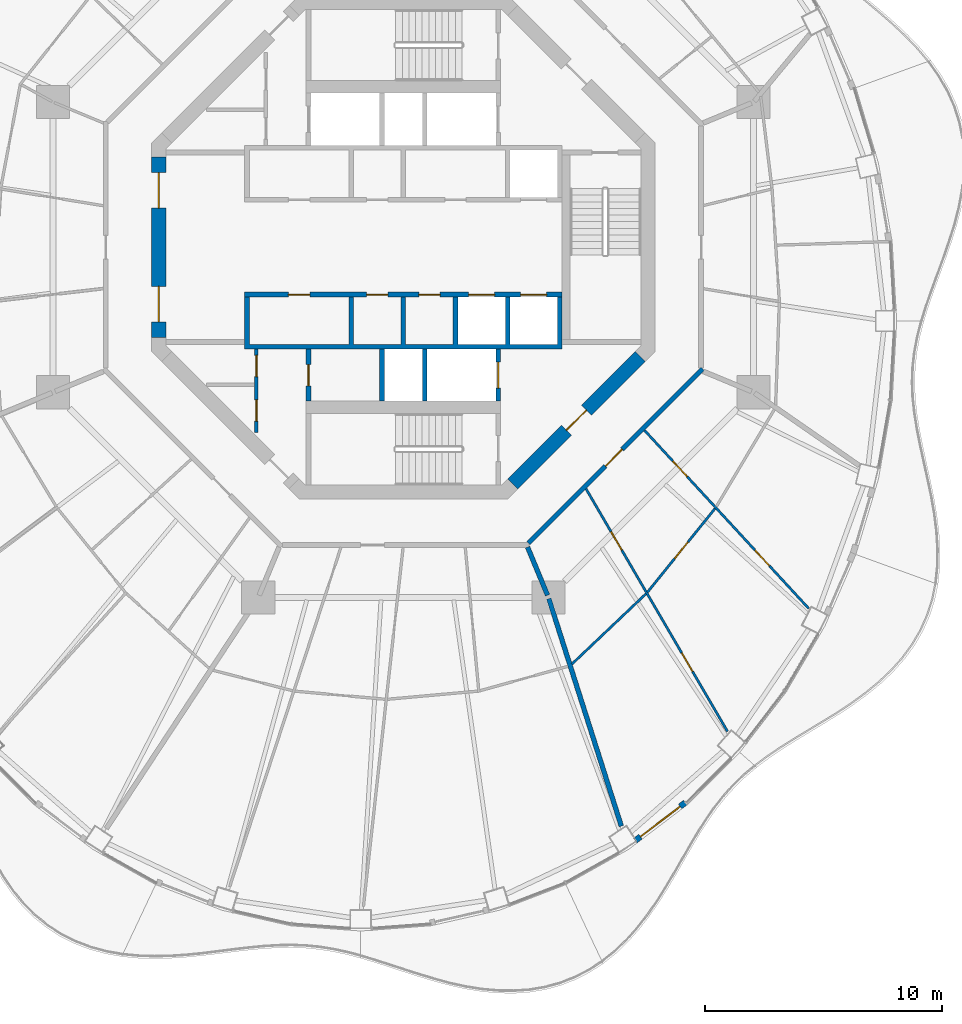
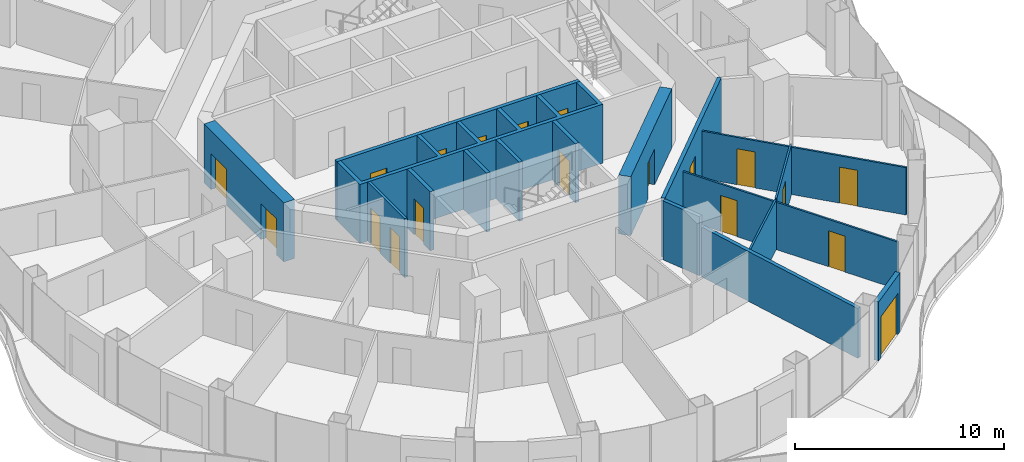
# One storey, part 11 of 18: 19 doors, 17 walls, 19 openings.
"""IFC4 building model written with IfcOpenShell, lengths in metres."""

from ifc_helpers import new_model, si_unit, direction, frame, frame_2d, origin, place, context, subcontext, project, spatial, polyline, rectangle, outline, extrude, material, layer, layer_set, type_object, element, fill, save


model = new_model("IFC4")

# Units and contexts
model_context = context("Model", 3, precision=1e-05, world=origin(), true_north=direction((0.0, 1.0)))
body_context = subcontext(model_context, "Body", "Model", "MODEL_VIEW")
ifc_project = project(units=[si_unit("LENGTHUNIT", "METRE"), si_unit("AREAUNIT", "SQUARE_METRE"), si_unit("VOLUMEUNIT", "CUBIC_METRE"), si_unit("PLANEANGLEUNIT", "RADIAN"), si_unit("MASSUNIT", "GRAM", prefix="KILO")], contexts=[model_context])

# Site, building, storey
site_placement = place(None, origin())
site = spatial("IfcSite", under=ifc_project, at=site_placement, CompositionType="ELEMENT")
building_placement = place(site_placement, origin())
building = spatial("IfcBuilding", under=site, at=building_placement, Name="Nagisa Residences", CompositionType="ELEMENT")
storey_placement = place(building_placement, frame((0.0, 0.0, 284.39990234375)))
storey = spatial("IfcBuildingStorey", under=building, at=storey_placement, Name="L72", CompositionType="ELEMENT", Elevation=284.39990234375)

# Walls
ifc_material_1 = material(Name="Gypsum board on steel studs", Category="steel")
ifc_layer_1 = layer(ifc_material_1, 0.199951171875)
ifc_layer_set_1 = layer_set([ifc_layer_1], Name="Apartment compartment wall EI60 200")
wall_type_1 = type_object("IfcWallType", Name="Apartment compartment wall EI60 200", PredefinedType="PARTITIONING", material=ifc_layer_set_1)
wall_1_placement = place(storey_placement, frame((5.24267578125, -12.6572265625, 0.0), z_axis=(0.0, 0.0, 1.0), x_axis=(0.382707856524, -0.923869415315, 0.0)))
element("IfcWall", 1, at=wall_1_placement, inside=storey, type_object=wall_type_1, Name="wall:L72:u10", PredefinedType="PARTITIONING", context=body_context, shape_type="SweptSolid", body=[
    extrude(rectangle(XDim=2.2001953125, YDim=0.199951171875, at=frame_2d((1.10009765625, 0.0))), origin(), (0.0, 0.0, 1.0), 3.440185546875),
])
wall_2_placement = place(storey_placement, frame((6.13818359375, -14.82958984375, 0.0), z_axis=(0.0, 0.0, 1.0), x_axis=(0.303653679037, -0.952782474234, 0.0)))
element("IfcWall", 2, at=wall_2_placement, inside=storey, type_object=wall_type_1, Name="wall:L72:u11", PredefinedType="PARTITIONING", context=body_context, shape_type="SweptSolid", body=[
    extrude(rectangle(XDim=10.075927734375, YDim=0.199951171875, at=frame_2d((5.0380859375, 0.0))), origin(), (0.0, 0.0, 1.0), 2.905029296875),
])

# Wall, opening, door
ifc_material_2 = material(Name="Gypsum board on steel studs", Category="steel")
ifc_layer_2 = layer(ifc_material_2, 0.199951171875)
ifc_layer_set_2 = layer_set([ifc_layer_2], Name="Apartment entry wall EI60 200")
wall_type_2 = type_object("IfcWallType", Name="Apartment entry wall EI60 200", PredefinedType="PARTITIONING", material=ifc_layer_set_2)
wall_3_placement = place(storey_placement, frame((5.275146484375, -12.494140625, 0.0), z_axis=(0.0, 0.0, 1.0), x_axis=(0.707106781187, 0.707106781187, 0.0)))
wall_3 = element("IfcWall", 3, at=wall_3_placement, inside=storey, type_object=wall_type_2, Name="wall:L72:u21", PredefinedType="PARTITIONING", context=body_context, shape_type="SweptSolid", body=[
    extrude(rectangle(XDim=10.4091796875, YDim=0.199951171875, at=frame_2d((5.20458984375, 0.0))), origin(), (0.0, 0.0, 1.0), 3.440185546875),
])
opening_1_placement = place(wall_3_placement, frame((4.6044921875, 0.0, 0.0)))
opening_1 = element("IfcOpeningElement", 4, at=opening_1_placement, cuts=wall_3, Name="Opening L72-U14", PredefinedType="OPENING", context=body_context, shape_type="SweptSolid", body=[
    extrude(rectangle(XDim=1.0, YDim=2.10009765625, at=frame_2d((0.5, 1.050048828125))), frame((0.0, 0.10986328125, 0.0), z_axis=(0.0, -1.0, 0.0), x_axis=(1.0, 0.0, 0.0)), (0.0, 0.0, 1.0), 0.219970703125),
])
ifc_material_3 = material(Name="Timber fire door set", Category="wood")
door_type_1 = type_object("IfcDoorType", Name="Apartment entry door FD30S 1000x2100", OperationType="NOTDEFINED", PredefinedType="DOOR", material=ifc_material_3)
door_1_placement = place(opening_1_placement, frame((1.0, 0.0, 0.0), x_axis=(-1.0, 0.0, 0.0)))
door_1 = element("IfcDoor", 5, at=door_1_placement, inside=storey, type_object=door_type_1, Name="Entry door, Apartment 72C", OperationType="SINGLE_SWING_LEFT", OverallHeight=2.10009765625, OverallWidth=1.0, PredefinedType="DOOR", context=body_context, shape_type="SweptSolid", body=[
    extrude(rectangle(XDim=1.0, YDim=2.10009765625, at=frame_2d((0.5, 1.050048828125))), frame((0.0, 0.02490234375, 0.0), z_axis=(0.0, -1.0, 0.0), x_axis=(1.0, 0.0, 0.0)), (0.0, 0.0, 1.0), 0.050048828125),
])
fill(opening_1, door_1)

# Wall
ifc_material_4 = material(Name="Gypsum board on steel studs", Category="steel")
ifc_layer_3 = layer(ifc_material_4, 0.10009765625)
ifc_layer_set_3 = layer_set([ifc_layer_3], Name="Apartment partition 100")
wall_type_3 = type_object("IfcWallType", Name="Apartment partition 100", PredefinedType="PARTITIONING", material=ifc_layer_set_3)
wall_4_placement = place(storey_placement, frame((7.113037109375, -17.592041015625, 0.0), z_axis=(0.0, 0.0, 1.0), x_axis=(0.725433932329, 0.688291805723, 0.0)))
element("IfcWall", 6, at=wall_4_placement, inside=storey, type_object=wall_type_3, Name="wall:L72:u64", PredefinedType="PARTITIONING", context=body_context, shape_type="SweptSolid", body=[
    extrude(rectangle(XDim=4.305419921875, YDim=0.10009765625, at=frame_2d((2.15283203125, 0.0))), origin(), (0.0, 0.0, 1.0), 2.905029296875),
])

# Wall, openings, doors
wall_5_placement = place(storey_placement, frame((7.708251953125, -10.19775390625, 0.0), z_axis=(0.0, 0.0, 1.0), x_axis=(0.503839015963, -0.863797572347, 0.0)))
wall_5 = element("IfcWall", 7, at=wall_5_placement, inside=storey, type_object=wall_type_3, Name="wall:L72:u65", PredefinedType="PARTITIONING", context=body_context, shape_type="SweptSolid", body=[
    extrude(rectangle(XDim=11.855712890625, YDim=0.10009765625, at=frame_2d((5.927734375, 0.0))), origin(), (0.0, 0.0, 1.0), 2.76220703125),
])
opening_2_placement = place(wall_5_placement, frame((2.094970703125, 0.0, 0.0)))
opening_2 = element("IfcOpeningElement", 8, at=opening_2_placement, cuts=wall_5, Name="Opening L72-U15", PredefinedType="OPENING", context=body_context, shape_type="SweptSolid", body=[
    extrude(rectangle(XDim=0.89990234375, YDim=2.10009765625, at=frame_2d((0.449951171875, 1.050048828125))), frame((0.0, 0.06005859375, 0.0), z_axis=(0.0, -1.0, 0.0), x_axis=(1.0, 0.0, 0.0)), (0.0, 0.0, 1.0), 0.1201171875),
])
opening_3_placement = place(wall_5_placement, frame((8.022705078125, 0.0, 0.0)))
opening_3 = element("IfcOpeningElement", 9, at=opening_3_placement, cuts=wall_5, Name="Opening L72-U19", PredefinedType="OPENING", context=body_context, shape_type="SweptSolid", body=[
    extrude(rectangle(XDim=0.89990234375, YDim=2.10009765625, at=frame_2d((0.449951171875, 1.050048828125))), frame((0.0, 0.06005859375, 0.0), z_axis=(0.0, -1.0, 0.0), x_axis=(1.0, 0.0, 0.0)), (0.0, 0.0, 1.0), 0.1201171875),
])
ifc_material_5 = material(Name="Timber door set", Category="wood")
door_type_2 = type_object("IfcDoorType", Name="Apartment door 900x2100", OperationType="NOTDEFINED", PredefinedType="DOOR", material=ifc_material_5)
door_2_placement = place(opening_2_placement, frame((0.89990234375, 0.0, 0.0), x_axis=(-1.0, 0.0, 0.0)))
door_2 = element("IfcDoor", 10, at=door_2_placement, inside=storey, type_object=door_type_2, Name="Door to family bathroom, Apartment 72C", OperationType="SINGLE_SWING_RIGHT", OverallHeight=2.10009765625, OverallWidth=0.89990234375, PredefinedType="DOOR", context=body_context, shape_type="SweptSolid", body=[
    extrude(rectangle(XDim=0.89990234375, YDim=2.10009765625, at=frame_2d((0.449951171875, 1.050048828125))), frame((0.0, 0.02490234375, 0.0), z_axis=(0.0, -1.0, 0.0), x_axis=(1.0, 0.0, 0.0)), (0.0, 0.0, 1.0), 0.050048828125),
])
fill(opening_2, door_2)
door_3_placement = place(opening_3_placement, frame((0.89990234375, 0.0, 0.0), x_axis=(-1.0, 0.0, 0.0)))
door_3 = element("IfcDoor", 11, at=door_3_placement, inside=storey, type_object=door_type_2, Name="Door to living room, Apartment 72C", OperationType="SINGLE_SWING_RIGHT", OverallHeight=2.10009765625, OverallWidth=0.89990234375, PredefinedType="DOOR", context=body_context, shape_type="SweptSolid", body=[
    extrude(rectangle(XDim=0.89990234375, YDim=2.10009765625, at=frame_2d((0.449951171875, 1.050048828125))), frame((0.0, 0.02490234375, 0.0), z_axis=(0.0, -1.0, 0.0), x_axis=(1.0, 0.0, 0.0)), (0.0, 0.0, 1.0), 0.050048828125),
])
fill(opening_3, door_3)

# Wall, opening, door
wall_6_placement = place(storey_placement, frame((10.303955078125, -14.555419921875, 0.0), z_axis=(0.0, 0.0, 1.0), x_axis=(0.628170338674, 0.778075848237, 0.0)))
wall_6 = element("IfcWall", 12, at=wall_6_placement, inside=storey, type_object=wall_type_3, Name="wall:L72:u66", PredefinedType="PARTITIONING", context=body_context, shape_type="SweptSolid", body=[
    extrude(rectangle(XDim=4.532470703125, YDim=0.10009765625, at=frame_2d((2.26611328125, 0.0))), origin(), (0.0, 0.0, 1.0), 2.905029296875),
])
opening_4_placement = place(wall_6_placement, frame((1.816162109375, 0.0, 0.0)))
opening_4 = element("IfcOpeningElement", 13, at=opening_4_placement, cuts=wall_6, Name="Opening L72-U17", PredefinedType="OPENING", context=body_context, shape_type="SweptSolid", body=[
    extrude(rectangle(XDim=0.89990234375, YDim=2.10009765625, at=frame_2d((0.449951171875, 1.050048828125))), frame((0.0, 0.06005859375, 0.0), z_axis=(0.0, -1.0, 0.0), x_axis=(1.0, 0.0, 0.0)), (0.0, 0.0, 1.0), 0.1201171875),
])
door_4_placement = place(opening_4_placement, frame((0.89990234375, 0.0, 0.0), x_axis=(-1.0, 0.0, 0.0)))
door_4 = element("IfcDoor", 14, at=door_4_placement, inside=storey, type_object=door_type_2, Name="Door to kitchen, Apartment 72C", OperationType="SINGLE_SWING_RIGHT", OverallHeight=2.10009765625, OverallWidth=0.89990234375, PredefinedType="DOOR", context=body_context, shape_type="SweptSolid", body=[
    extrude(rectangle(XDim=0.89990234375, YDim=2.10009765625, at=frame_2d((0.449951171875, 1.050048828125))), frame((0.0, 0.02490234375, 0.0), z_axis=(0.0, -1.0, 0.0), x_axis=(1.0, 0.0, 0.0)), (0.0, 0.0, 1.0), 0.050048828125),
])
fill(opening_4, door_4)

# Wall, openings, doors
wall_7_placement = place(storey_placement, frame((10.17919921875, -7.7314453125, 0.0), z_axis=(0.0, 0.0, 1.0), x_axis=(0.67775318564, -0.73528947997, 0.0)))
wall_7 = element("IfcWall", 15, at=wall_7_placement, inside=storey, type_object=wall_type_3, Name="wall:L72:u67", PredefinedType="PARTITIONING", context=body_context, shape_type="SweptSolid", body=[
    extrude(rectangle(XDim=10.221923828125, YDim=0.10009765625, at=frame_2d((5.11083984375, 0.0))), origin(), (0.0, 0.0, 1.0), 2.76220703125),
])
opening_5_placement = place(wall_7_placement, frame((1.765625, 0.0, 0.0)))
opening_5 = element("IfcOpeningElement", 16, at=opening_5_placement, cuts=wall_7, Name="Opening L72-U16", PredefinedType="OPENING", context=body_context, shape_type="SweptSolid", body=[
    extrude(rectangle(XDim=0.89990234375, YDim=2.10009765625, at=frame_2d((0.449951171875, 1.050048828125))), frame((0.0, 0.06005859375, 0.0), z_axis=(0.0, -1.0, 0.0), x_axis=(1.0, 0.0, 0.0)), (0.0, 0.0, 1.0), 0.1201171875),
])
opening_6_placement = place(wall_7_placement, frame((6.876708984375, 0.0, 0.0)))
opening_6 = element("IfcOpeningElement", 17, at=opening_6_placement, cuts=wall_7, Name="Opening L72-U18", PredefinedType="OPENING", context=body_context, shape_type="SweptSolid", body=[
    extrude(rectangle(XDim=0.89990234375, YDim=2.10009765625, at=frame_2d((0.449951171875, 1.050048828125))), frame((0.0, 0.06005859375, 0.0), z_axis=(0.0, -1.0, 0.0), x_axis=(1.0, 0.0, 0.0)), (0.0, 0.0, 1.0), 0.1201171875),
])
door_5_placement = place(opening_5_placement, origin())
door_5 = element("IfcDoor", 18, at=door_5_placement, inside=storey, type_object=door_type_2, Name="Door to laundry, Apartment 72C", OperationType="SINGLE_SWING_RIGHT", OverallHeight=2.10009765625, OverallWidth=0.89990234375, PredefinedType="DOOR", context=body_context, shape_type="SweptSolid", body=[
    extrude(rectangle(XDim=0.89990234375, YDim=2.10009765625, at=frame_2d((0.449951171875, 1.050048828125))), frame((0.0, 0.02490234375, 0.0), z_axis=(0.0, -1.0, 0.0), x_axis=(1.0, 0.0, 0.0)), (0.0, 0.0, 1.0), 0.050048828125),
])
fill(opening_5, door_5)
door_6_placement = place(opening_6_placement, origin())
door_6 = element("IfcDoor", 19, at=door_6_placement, inside=storey, type_object=door_type_2, Name="Door to master bedroom, Apartment 72C", OperationType="SINGLE_SWING_RIGHT", OverallHeight=2.10009765625, OverallWidth=0.89990234375, PredefinedType="DOOR", context=body_context, shape_type="SweptSolid", body=[
    extrude(rectangle(XDim=0.89990234375, YDim=2.10009765625, at=frame_2d((0.449951171875, 1.050048828125))), frame((0.0, 0.02490234375, 0.0), z_axis=(0.0, -1.0, 0.0), x_axis=(1.0, 0.0, 0.0)), (0.0, 0.0, 1.0), 0.050048828125),
])
fill(opening_6, door_6)

# Wall, opening, door
ifc_material_6 = material(Name="Precast concrete C40/50", Category="concrete")
ifc_layer_4 = layer(ifc_material_6, 0.25)
ifc_layer_set_4 = layer_set([ifc_layer_4], Name="BALCONY DOOR WALL 250")
wall_type_4 = type_object("IfcWallType", Name="BALCONY DOOR WALL 250", PredefinedType="SOLIDWALL", material=ifc_layer_set_4)
wall_8_placement = place(storey_placement, frame((11.89453125, -23.439208984375, 0.0), z_axis=(0.0, 0.0, 1.0), x_axis=(-0.796055284084, -0.605223912847, 0.0)))
wall_8 = element("IfcWall", 20, at=wall_8_placement, inside=storey, type_object=wall_type_4, Name="wall:L72:bay40", PredefinedType="SOLIDWALL", context=body_context, shape_type="SweptSolid", body=[
    extrude(rectangle(XDim=2.640625, YDim=0.25, at=frame_2d((1.3203125, 0.0))), origin(), (0.0, 0.0, 1.0), 3.440185546875),
])
opening_7_placement = place(wall_8_placement, frame((0.270263671875, 0.0, 0.0)))
opening_7 = element("IfcOpeningElement", 21, at=opening_7_placement, cuts=wall_8, Name="Opening BD-L72-14", PredefinedType="OPENING", context=body_context, shape_type="SweptSolid", body=[
    extrude(rectangle(XDim=2.10009765625, YDim=2.39990234375, at=frame_2d((1.050048828125, 1.199951171875))), frame((0.0, 0.135009765625, 0.0), z_axis=(0.0, -1.0, 0.0), x_axis=(1.0, 0.0, 0.0)), (0.0, 0.0, 1.0), 0.27001953125),
])
ifc_material_7 = material(Name="Aluminium and clear glass", Category="aluminium")
door_type_3 = type_object("IfcDoorType", Name="BALCONY SLIDING DOOR 2100x2400", OperationType="SLIDING_TO_LEFT", PredefinedType="DOOR", material=ifc_material_7)
door_7_placement = place(opening_7_placement, origin())
door_7 = element("IfcDoor", 22, at=door_7_placement, inside=storey, type_object=door_type_3, Name="door:L72:bay40", OperationType="SLIDING_TO_LEFT", OverallHeight=2.39990234375, OverallWidth=2.10009765625, PredefinedType="DOOR", context=body_context, shape_type="SweptSolid", body=[
    extrude(rectangle(XDim=2.10009765625, YDim=2.39990234375, at=frame_2d((1.050048828125, 1.199951171875))), frame((0.0, 0.02490234375, 0.0), z_axis=(0.0, -1.0, 0.0), x_axis=(1.0, 0.0, 0.0)), (0.0, 0.0, 1.0), 0.050048828125),
])
fill(opening_7, door_7)

# Wall, openings, doors
ifc_material_8 = material(Name="Gypsum board on steel studs", Category="steel")
ifc_layer_5 = layer(ifc_material_8, 0.14990234375)
ifc_layer_set_5 = layer_set([ifc_layer_5], Name="Core partition 150")
wall_type_5 = type_object("IfcWallType", Name="Core partition 150", PredefinedType="PARTITIONING", material=ifc_layer_set_5)
wall_9_placement = place(storey_placement, frame((-6.199951171875, -7.826904296875, 0.0), z_axis=(0.0, 0.0, 1.0), x_axis=(0.0, 1.0, 0.0)))
wall_9 = element("IfcWall", 23, at=wall_9_placement, inside=storey, type_object=wall_type_5, Name="wall:L72:SWp", PredefinedType="PARTITIONING", context=body_context, shape_type="SweptSolid", body=[
    extrude(rectangle(XDim=3.52685546875, YDim=0.14990234375, at=frame_2d((1.763427734375, 0.0))), origin(), (0.0, 0.0, 1.0), 3.440185546875),
])
opening_8_placement = place(wall_9_placement, frame((2.364501953125, 0.0, 0.0)))
opening_8 = element("IfcOpeningElement", 24, at=opening_8_placement, cuts=wall_9, Name="Opening L72-C12", PredefinedType="OPENING", context=body_context, shape_type="SweptSolid", body=[
    extrude(rectangle(XDim=0.89990234375, YDim=2.10009765625, at=frame_2d((0.449951171875, 1.050048828125))), frame((0.0, 0.0849609375, 0.0), z_axis=(0.0, -1.0, 0.0), x_axis=(1.0, 0.0, 0.0)), (0.0, 0.0, 1.0), 0.169921875),
])
opening_9_placement = place(wall_9_placement, frame((0.488525390625, 0.0, 0.0)))
opening_9 = element("IfcOpeningElement", 25, at=opening_9_placement, cuts=wall_9, Name="Opening L72-C13", PredefinedType="OPENING", context=body_context, shape_type="SweptSolid", body=[
    extrude(rectangle(XDim=0.89990234375, YDim=2.10009765625, at=frame_2d((0.449951171875, 1.050048828125))), frame((0.0, 0.0849609375, 0.0), z_axis=(0.0, -1.0, 0.0), x_axis=(1.0, 0.0, 0.0)), (0.0, 0.0, 1.0), 0.169921875),
])
ifc_material_9 = material(Name="Steel fire door", Category="steel")
door_type_4 = type_object("IfcDoorType", Name="Fire door EI30 900x2100 single swing", OperationType="NOTDEFINED", PredefinedType="DOOR", material=ifc_material_9)
door_8_placement = place(opening_8_placement, origin())
door_8 = element("IfcDoor", 26, at=door_8_placement, inside=storey, type_object=door_type_4, Name="Janitor door L72", OperationType="SINGLE_SWING_LEFT", OverallHeight=2.10009765625, OverallWidth=0.89990234375, PredefinedType="DOOR", context=body_context, shape_type="SweptSolid", body=[
    extrude(rectangle(XDim=0.89990234375, YDim=2.10009765625, at=frame_2d((0.449951171875, 1.050048828125))), frame((0.0, 0.02490234375, 0.0), z_axis=(0.0, -1.0, 0.0), x_axis=(1.0, 0.0, 0.0)), (0.0, 0.0, 1.0), 0.050048828125),
])
fill(opening_8, door_8)
door_9_placement = place(opening_9_placement, origin())
door_9 = element("IfcDoor", 27, at=door_9_placement, inside=storey, type_object=door_type_4, Name="Electrical room door L72", OperationType="SINGLE_SWING_LEFT", OverallHeight=2.10009765625, OverallWidth=0.89990234375, PredefinedType="DOOR", context=body_context, shape_type="SweptSolid", body=[
    extrude(rectangle(XDim=0.89990234375, YDim=2.10009765625, at=frame_2d((0.449951171875, 1.050048828125))), frame((0.0, 0.02490234375, 0.0), z_axis=(0.0, -1.0, 0.0), x_axis=(1.0, 0.0, 0.0)), (0.0, 0.0, 1.0), 0.050048828125),
])
fill(opening_9, door_9)

ifc_material_10 = material(Name="Concrete C60", Category="concrete")
ifc_layer_6 = layer(ifc_material_10, 0.60009765625)
ifc_layer_set_6 = layer_set([ifc_layer_6], Name="Core shear wall 600")
wall_type_6 = type_object("IfcWallType", Name="Core shear wall 600", PredefinedType="SHEAR", material=ifc_layer_set_6)
wall_10_placement = place(storey_placement, frame((-10.32470703125, 3.80078125, 0.0), z_axis=(0.0, 0.0, 1.0), x_axis=(0.0, -1.0, 0.0)))
wall_10 = element("IfcWall", 28, at=wall_10_placement, inside=storey, type_object=wall_type_6, Name="wall:L72:core:flat4", PredefinedType="SHEAR", context=body_context, shape_type="SweptSolid", body=[
    extrude(rectangle(XDim=7.6015625, YDim=0.60009765625, at=frame_2d((3.80078125, 0.0))), origin(), (0.0, 0.0, 1.0), 3.440185546875),
])
opening_10_placement = place(wall_10_placement, frame((0.65087890625, 0.0, 0.0)))
opening_10 = element("IfcOpeningElement", 29, at=opening_10_placement, cuts=wall_10, Name="Opening L72-C23", PredefinedType="OPENING", context=body_context, shape_type="SweptSolid", body=[
    extrude(rectangle(XDim=1.5, YDim=2.10009765625, at=frame_2d((0.75, 1.050048828125))), frame((0.0, 0.31005859375, 0.0), z_axis=(0.0, -1.0, 0.0), x_axis=(1.0, 0.0, 0.0)), (0.0, 0.0, 1.0), 0.6201171875),
])
opening_11_placement = place(wall_10_placement, frame((5.450927734375, 0.0, 0.0)))
opening_11 = element("IfcOpeningElement", 30, at=opening_11_placement, cuts=wall_10, Name="Opening L72-C24", PredefinedType="OPENING", context=body_context, shape_type="SweptSolid", body=[
    extrude(rectangle(XDim=1.5, YDim=2.10009765625, at=frame_2d((0.75, 1.050048828125))), frame((0.0, 0.31005859375, 0.0), z_axis=(0.0, -1.0, 0.0), x_axis=(1.0, 0.0, 0.0)), (0.0, 0.0, 1.0), 0.6201171875),
])
ifc_material_11 = material(Name="Steel fire door", Category="steel")
door_type_5 = type_object("IfcDoorType", Name="Fire door EI60 1500x2100 double door single swing", OperationType="DOUBLE_DOOR_SINGLE_SWING", PredefinedType="DOOR", material=ifc_material_11)
door_10_placement = place(opening_10_placement, origin())
door_10 = element("IfcDoor", 31, at=door_10_placement, inside=storey, type_object=door_type_5, Name="Lift lobby door L72 1", OperationType="DOUBLE_DOOR_SINGLE_SWING", OverallHeight=2.10009765625, OverallWidth=1.5, PredefinedType="DOOR", context=body_context, shape_type="SweptSolid", body=[
    extrude(rectangle(XDim=1.5, YDim=2.10009765625, at=frame_2d((0.75, 1.050048828125))), frame((0.0, 0.02490234375, 0.0), z_axis=(0.0, -1.0, 0.0), x_axis=(1.0, 0.0, 0.0)), (0.0, 0.0, 1.0), 0.050048828125),
])
fill(opening_10, door_10)
door_11_placement = place(opening_11_placement, origin())
door_11 = element("IfcDoor", 32, at=door_11_placement, inside=storey, type_object=door_type_5, Name="Lift lobby door L72 2", OperationType="DOUBLE_DOOR_SINGLE_SWING", OverallHeight=2.10009765625, OverallWidth=1.5, PredefinedType="DOOR", context=body_context, shape_type="SweptSolid", body=[
    extrude(rectangle(XDim=1.5, YDim=2.10009765625, at=frame_2d((0.75, 1.050048828125))), frame((0.0, 0.02490234375, 0.0), z_axis=(0.0, -1.0, 0.0), x_axis=(1.0, 0.0, 0.0)), (0.0, 0.0, 1.0), 0.050048828125),
])
fill(opening_11, door_11)

# Wall, opening, door
wall_11_placement = place(storey_placement, frame((4.613037109375, -9.98828125, 0.0), z_axis=(0.0, 0.0, 1.0), x_axis=(0.707106781187, 0.707106781187, 0.0)))
wall_11 = element("IfcWall", 33, at=wall_11_placement, inside=storey, type_object=wall_type_6, Name="wall:L72:core:flat7", PredefinedType="SHEAR", context=body_context, shape_type="SweptSolid", body=[
    extrude(rectangle(XDim=7.601806640625, YDim=0.60009765625, at=frame_2d((3.80078125, 0.0))), origin(), (0.0, 0.0, 1.0), 3.440185546875),
])
opening_12_placement = place(wall_11_placement, frame((3.200927734375, 0.0, 0.0)))
opening_12 = element("IfcOpeningElement", 34, at=opening_12_placement, cuts=wall_11, Name="Opening L72-C22", PredefinedType="OPENING", context=body_context, shape_type="SweptSolid", body=[
    extrude(rectangle(XDim=1.199951171875, YDim=2.10009765625, at=frame_2d((0.60009765625, 1.050048828125))), frame((0.0, 0.31005859375, 0.0), z_axis=(0.0, -1.0, 0.0), x_axis=(1.0, 0.0, 0.0)), (0.0, 0.0, 1.0), 0.6201171875),
])
ifc_material_12 = material(Name="Steel fire door", Category="steel")
door_type_6 = type_object("IfcDoorType", Name="Fire door EI60 1200x2100 single swing", OperationType="NOTDEFINED", PredefinedType="DOOR", material=ifc_material_12)
door_12_placement = place(opening_12_placement, origin())
door_12 = element("IfcDoor", 35, at=door_12_placement, inside=storey, type_object=door_type_6, Name="Firefighting lobby 2 door L72", OperationType="SINGLE_SWING_LEFT", OverallHeight=2.10009765625, OverallWidth=1.199951171875, PredefinedType="DOOR", context=body_context, shape_type="SweptSolid", body=[
    extrude(rectangle(XDim=1.199951171875, YDim=2.10009765625, at=frame_2d((0.60009765625, 1.050048828125))), frame((0.0, 0.02490234375, 0.0), z_axis=(0.0, -1.0, 0.0), x_axis=(1.0, 0.0, 0.0)), (0.0, 0.0, 1.0), 0.050048828125),
])
fill(opening_12, door_12)

ifc_material_13 = material(Name="Concrete C60", Category="concrete")
ifc_layer_7 = layer(ifc_material_13, 0.199951171875)
ifc_layer_set_7 = layer_set([ifc_layer_7], Name="Lift shaft wall 200")
wall_type_7 = type_object("IfcWallType", Name="Lift shaft wall 200", PredefinedType="SOLIDWALL", material=ifc_layer_set_7)
wall_12_placement = place(storey_placement, frame((4.0, -6.5, 0.0), z_axis=(0.0, 0.0, 1.0), x_axis=(0.0, 1.0, 0.0)))
wall_12 = element("IfcWall", 36, at=wall_12_placement, inside=storey, type_object=wall_type_7, Name="wall:L72:Sb3", PredefinedType="SOLIDWALL", context=body_context, shape_type="SweptSolid", body=[
    extrude(rectangle(XDim=2.199951171875, YDim=0.199951171875, at=frame_2d((1.10009765625, 0.0))), origin(), (0.0, 0.0, 1.0), 3.440185546875),
])
opening_13_placement = place(wall_12_placement, frame((0.550048828125, 0.0, 0.0)))
opening_13 = element("IfcOpeningElement", 37, at=opening_13_placement, cuts=wall_12, Name="Opening L72-C05", PredefinedType="OPENING", context=body_context, shape_type="SweptSolid", body=[
    extrude(rectangle(XDim=1.10009765625, YDim=2.10009765625, at=frame_2d((0.550048828125, 1.050048828125))), frame((0.0, 0.10986328125, 0.0), z_axis=(0.0, -1.0, 0.0), x_axis=(1.0, 0.0, 0.0)), (0.0, 0.0, 1.0), 0.219970703125),
])
ifc_material_14 = material(Name="Stainless steel", Category="steel")
door_type_7 = type_object("IfcDoorType", Name="Lift landing door 1100x2100", OperationType="DOUBLE_DOOR_SLIDING", PredefinedType="DOOR", material=ifc_material_14)
door_13_placement = place(opening_13_placement, origin())
door_13 = element("IfcDoor", 38, at=door_13_placement, inside=storey, type_object=door_type_7, Name="Landing door FL2 L72", OperationType="DOUBLE_DOOR_SLIDING", OverallHeight=2.10009765625, OverallWidth=1.10009765625, PredefinedType="DOOR", context=body_context, shape_type="SweptSolid", body=[
    extrude(rectangle(XDim=1.10009765625, YDim=2.10009765625, at=frame_2d((0.550048828125, 1.050048828125))), frame((0.0, 0.02490234375, 0.0), z_axis=(0.0, -1.0, 0.0), x_axis=(1.0, 0.0, 0.0)), (0.0, 0.0, 1.0), 0.050048828125),
])
fill(opening_13, door_13)

wall_13_placement = place(storey_placement, frame((-4.0, -6.5, 0.0), z_axis=(0.0, 0.0, 1.0), x_axis=(0.0, 1.0, 0.0)))
wall_13 = element("IfcWall", 39, at=wall_13_placement, inside=storey, type_object=wall_type_7, Name="wall:L72:Sb4", PredefinedType="SOLIDWALL", context=body_context, shape_type="SweptSolid", body=[
    extrude(rectangle(XDim=2.199951171875, YDim=0.199951171875, at=frame_2d((1.10009765625, 0.0))), origin(), (0.0, 0.0, 1.0), 3.440185546875),
])
opening_14_placement = place(wall_13_placement, frame((0.64990234375, 0.0, 0.0)))
opening_14 = element("IfcOpeningElement", 40, at=opening_14_placement, cuts=wall_13, Name="Opening L72-C14", PredefinedType="OPENING", context=body_context, shape_type="SweptSolid", body=[
    extrude(rectangle(XDim=0.89990234375, YDim=2.10009765625, at=frame_2d((0.449951171875, 1.050048828125))), frame((0.0, 0.10986328125, 0.0), z_axis=(0.0, -1.0, 0.0), x_axis=(1.0, 0.0, 0.0)), (0.0, 0.0, 1.0), 0.219970703125),
])
door_14_placement = place(opening_14_placement, frame((0.89990234375, 0.0, 0.0), x_axis=(-1.0, 0.0, 0.0)))
door_14 = element("IfcDoor", 41, at=door_14_placement, inside=storey, type_object=door_type_4, Name="Refuse room door L72", OperationType="SINGLE_SWING_LEFT", OverallHeight=2.10009765625, OverallWidth=0.89990234375, PredefinedType="DOOR", context=body_context, shape_type="SweptSolid", body=[
    extrude(rectangle(XDim=0.89990234375, YDim=2.10009765625, at=frame_2d((0.449951171875, 1.050048828125))), frame((0.0, 0.02490234375, 0.0), z_axis=(0.0, -1.0, 0.0), x_axis=(1.0, 0.0, 0.0)), (0.0, 0.0, 1.0), 0.050048828125),
])
fill(opening_14, door_14)

# Wall, openings, doors
wall_14_placement = place(storey_placement, frame((-6.699951171875, -2.0, 0.0), z_axis=(0.0, 0.0, 1.0), x_axis=(1.0, 0.0, 0.0)))
wall_14 = element("IfcWall", 42, at=wall_14_placement, inside=storey, type_object=wall_type_7, Name="wall:L72:Sfront", PredefinedType="SOLIDWALL", context=body_context, shape_type="SweptSolid", body=[
    extrude(rectangle(XDim=13.39990234375, YDim=0.199951171875, at=frame_2d((6.699951171875, 0.0))), origin(), (0.0, 0.0, 1.0), 3.440185546875),
])
opening_15_placement = place(wall_14_placement, frame((9.449951171875, 0.0, 0.0)))
opening_15 = element("IfcOpeningElement", 43, at=opening_15_placement, cuts=wall_14, Name="Opening L72-C02", PredefinedType="OPENING", context=body_context, shape_type="SweptSolid", body=[
    extrude(rectangle(XDim=1.10009765625, YDim=2.10009765625, at=frame_2d((0.550048828125, 1.050048828125))), frame((0.0, 0.10986328125, 0.0), z_axis=(0.0, -1.0, 0.0), x_axis=(1.0, 0.0, 0.0)), (0.0, 0.0, 1.0), 0.219970703125),
])
opening_16_placement = place(wall_14_placement, frame((11.64990234375, 0.0, 0.0)))
opening_16 = element("IfcOpeningElement", 44, at=opening_16_placement, cuts=wall_14, Name="Opening L72-C03", PredefinedType="OPENING", context=body_context, shape_type="SweptSolid", body=[
    extrude(rectangle(XDim=1.10009765625, YDim=2.10009765625, at=frame_2d((0.550048828125, 1.050048828125))), frame((0.0, 0.10986328125, 0.0), z_axis=(0.0, -1.0, 0.0), x_axis=(1.0, 0.0, 0.0)), (0.0, 0.0, 1.0), 0.219970703125),
])
opening_17_placement = place(wall_14_placement, frame((1.85009765625, 0.0, 0.0)))
opening_17 = element("IfcOpeningElement", 45, at=opening_17_placement, cuts=wall_14, Name="Opening L72-C18", PredefinedType="OPENING", context=body_context, shape_type="SweptSolid", body=[
    extrude(rectangle(XDim=0.89990234375, YDim=2.10009765625, at=frame_2d((0.449951171875, 1.050048828125))), frame((0.0, 0.10986328125, 0.0), z_axis=(0.0, -1.0, 0.0), x_axis=(1.0, 0.0, 0.0)), (0.0, 0.0, 1.0), 0.219970703125),
])
opening_18_placement = place(wall_14_placement, frame((5.14990234375, 0.0, 0.0)))
opening_18 = element("IfcOpeningElement", 46, at=opening_18_placement, cuts=wall_14, Name="Opening L72-C19", PredefinedType="OPENING", context=body_context, shape_type="SweptSolid", body=[
    extrude(rectangle(XDim=0.89990234375, YDim=2.10009765625, at=frame_2d((0.449951171875, 1.050048828125))), frame((0.0, 0.10986328125, 0.0), z_axis=(0.0, -1.0, 0.0), x_axis=(1.0, 0.0, 0.0)), (0.0, 0.0, 1.0), 0.219970703125),
])
opening_19_placement = place(wall_14_placement, frame((7.35009765625, 0.0, 0.0)))
opening_19 = element("IfcOpeningElement", 47, at=opening_19_placement, cuts=wall_14, Name="Opening L72-C20", PredefinedType="OPENING", context=body_context, shape_type="SweptSolid", body=[
    extrude(rectangle(XDim=0.89990234375, YDim=2.10009765625, at=frame_2d((0.449951171875, 1.050048828125))), frame((0.0, 0.10986328125, 0.0), z_axis=(0.0, -1.0, 0.0), x_axis=(1.0, 0.0, 0.0)), (0.0, 0.0, 1.0), 0.219970703125),
])
door_15_placement = place(opening_17_placement, frame((0.89990234375, 0.0, 0.0), x_axis=(-1.0, 0.0, 0.0)))
door_15 = element("IfcDoor", 48, at=door_15_placement, inside=storey, type_object=door_type_4, Name="Owner storage door L72", OperationType="SINGLE_SWING_LEFT", OverallHeight=2.10009765625, OverallWidth=0.89990234375, PredefinedType="DOOR", context=body_context, shape_type="SweptSolid", body=[
    extrude(rectangle(XDim=0.89990234375, YDim=2.10009765625, at=frame_2d((0.449951171875, 1.050048828125))), frame((0.0, 0.02490234375, 0.0), z_axis=(0.0, -1.0, 0.0), x_axis=(1.0, 0.0, 0.0)), (0.0, 0.0, 1.0), 0.050048828125),
])
fill(opening_17, door_15)
door_16_placement = place(opening_18_placement, frame((0.89990234375, 0.0, 0.0), x_axis=(-1.0, 0.0, 0.0)))
door_16 = element("IfcDoor", 49, at=door_16_placement, inside=storey, type_object=door_type_4, Name="Recycling room door L72", OperationType="SINGLE_SWING_LEFT", OverallHeight=2.10009765625, OverallWidth=0.89990234375, PredefinedType="DOOR", context=body_context, shape_type="SweptSolid", body=[
    extrude(rectangle(XDim=0.89990234375, YDim=2.10009765625, at=frame_2d((0.449951171875, 1.050048828125))), frame((0.0, 0.02490234375, 0.0), z_axis=(0.0, -1.0, 0.0), x_axis=(1.0, 0.0, 0.0)), (0.0, 0.0, 1.0), 0.050048828125),
])
fill(opening_18, door_16)
door_17_placement = place(opening_19_placement, frame((0.89990234375, 0.0, 0.0), x_axis=(-1.0, 0.0, 0.0)))
door_17 = element("IfcDoor", 50, at=door_17_placement, inside=storey, type_object=door_type_4, Name="Stationery store door L72", OperationType="SINGLE_SWING_LEFT", OverallHeight=2.10009765625, OverallWidth=0.89990234375, PredefinedType="DOOR", context=body_context, shape_type="SweptSolid", body=[
    extrude(rectangle(XDim=0.89990234375, YDim=2.10009765625, at=frame_2d((0.449951171875, 1.050048828125))), frame((0.0, 0.02490234375, 0.0), z_axis=(0.0, -1.0, 0.0), x_axis=(1.0, 0.0, 0.0)), (0.0, 0.0, 1.0), 0.050048828125),
])
fill(opening_19, door_17)
door_18_placement = place(opening_15_placement, origin())
door_18 = element("IfcDoor", 51, at=door_18_placement, inside=storey, type_object=door_type_7, Name="Landing door C2 L72", OperationType="DOUBLE_DOOR_SLIDING", OverallHeight=2.10009765625, OverallWidth=1.10009765625, PredefinedType="DOOR", context=body_context, shape_type="SweptSolid", body=[
    extrude(rectangle(XDim=1.10009765625, YDim=2.10009765625, at=frame_2d((0.550048828125, 1.050048828125))), frame((0.0, 0.02490234375, 0.0), z_axis=(0.0, -1.0, 0.0), x_axis=(1.0, 0.0, 0.0)), (0.0, 0.0, 1.0), 0.050048828125),
])
fill(opening_15, door_18)
door_19_placement = place(opening_16_placement, origin())
door_19 = element("IfcDoor", 52, at=door_19_placement, inside=storey, type_object=door_type_7, Name="Landing door C3 L72", OperationType="DOUBLE_DOOR_SLIDING", OverallHeight=2.10009765625, OverallWidth=1.10009765625, PredefinedType="DOOR", context=body_context, shape_type="SweptSolid", body=[
    extrude(rectangle(XDim=1.10009765625, YDim=2.10009765625, at=frame_2d((0.550048828125, 1.050048828125))), frame((0.0, 0.02490234375, 0.0), z_axis=(0.0, -1.0, 0.0), x_axis=(1.0, 0.0, 0.0)), (0.0, 0.0, 1.0), 0.050048828125),
])
fill(opening_16, door_19)

# Walls
for number, where, z_axis, x_axis, name in (
    (53, (-0.89990234375, -6.5, 0.0), (0.0, 0.0, 1.0), (0.0, 1.0, 0.0), "wall:L72:Sb1"),
    (54, (0.89990234375, -6.5, 0.0), (0.0, 0.0, 1.0), (0.0, 1.0, 0.0), "wall:L72:Sb2"),
):
    element("IfcWall", number, at=place(storey_placement, frame(where, z_axis=z_axis, x_axis=x_axis)), inside=storey, type_object=wall_type_7, Name=name, PredefinedType="SOLIDWALL", context=body_context, shape_type="SweptSolid", body=[
        extrude(rectangle(XDim=2.199951171875, YDim=0.199951171875, at=frame_2d((1.10009765625, 0.0))), origin(), (0.0, 0.0, 1.0), 3.440185546875),
    ])
wall_15_placement = place(storey_placement, origin())
element("IfcWall", 55, at=wall_15_placement, inside=storey, type_object=wall_type_7, Name="wall:L72:Sback", PredefinedType="SOLIDWALL", context=body_context, shape_type="SweptSolid", body=[
    extrude(outline(polyline([(-6.699951171875, -2.10009765625), (-6.5, -2.10009765625), (-6.5, -4.10009765625), (-2.300048828125, -4.10009765625), (-2.300048828125, -2.10009765625), (-2.10009765625, -2.10009765625), (-2.10009765625, -4.10009765625), (-0.10009765625, -4.10009765625), (-0.10009765625, -2.10009765625), (0.10009765625, -2.10009765625), (0.10009765625, -4.10009765625), (2.10009765625, -4.10009765625), (2.10009765625, -2.10009765625), (2.300048828125, -2.10009765625), (2.300048828125, -4.10009765625), (4.300048828125, -4.10009765625), (4.300048828125, -2.10009765625), (4.5, -2.10009765625), (4.5, -4.10009765625), (6.5, -4.10009765625), (6.5, -2.10009765625), (6.699951171875, -2.10009765625), (6.699951171875, -4.300048828125), (-6.699951171875, -4.300048828125), (-6.699951171875, -2.10009765625)])), origin(), (0.0, 0.0, 1.0), 3.440185546875),
])

save(model, "model.ifc")
